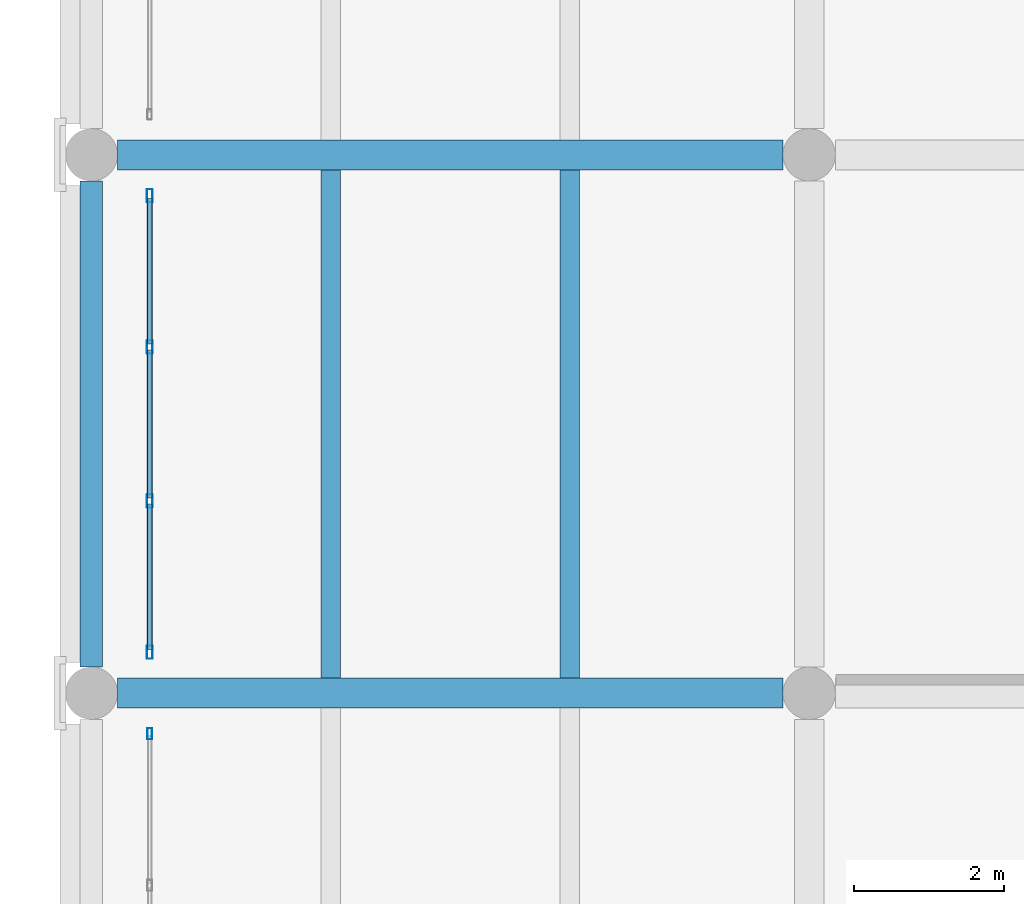
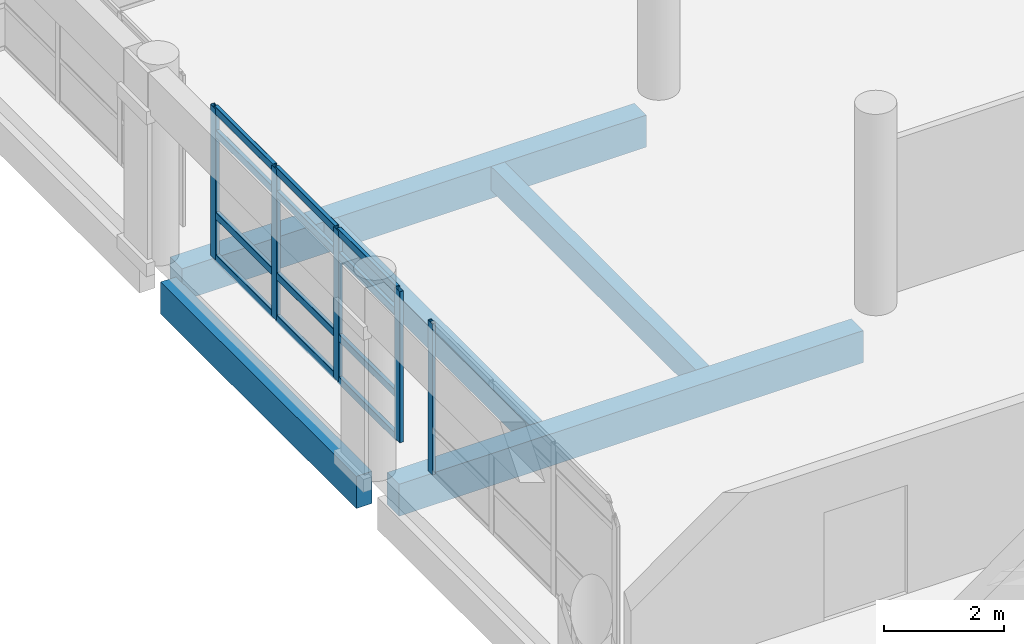
# One storey, part 39 of 180: 17 members, 5 beams, 2 elements without a shape of their own.
"""IFC4 building model written with IfcOpenShell, lengths in metres."""

from ifc_helpers import new_model, si_unit, direction, frame, origin, origin_2d, place, context, subcontext, project, spatial, rectangle, hollow_rectangle, extrude, material, layer, layer_set, material_profile, profile_set, type_object, element, aggregate, save


model = new_model("IFC4")

# Units and contexts
model_context = context("Model", 3, precision=1e-05, world=origin(), true_north=direction((0.0, 1.0)))
body_context = subcontext(model_context, "Body", "Model", "MODEL_VIEW")
ifc_project = project(units=[si_unit("LENGTHUNIT", "METRE"), si_unit("AREAUNIT", "SQUARE_METRE"), si_unit("VOLUMEUNIT", "CUBIC_METRE"), si_unit("PLANEANGLEUNIT", "RADIAN"), si_unit("MASSUNIT", "GRAM", prefix="KILO")], contexts=[model_context])

# Site, building, storey
site_placement = place(None, origin())
site = spatial("IfcSite", under=ifc_project, at=site_placement, CompositionType="ELEMENT")
building_placement = place(site_placement, origin())
building = spatial("IfcBuilding", under=site, at=building_placement, Name="Asteropetra Specialist Clinic", CompositionType="ELEMENT")
storey_placement = place(building_placement, frame((0.0, 0.0, 4.419921875)))
storey = spatial("IfcBuildingStorey", under=building, at=storey_placement, Name="L01", CompositionType="ELEMENT", Elevation=4.419921875)

# Beams
ifc_material_1 = material(Name="Concrete C35/45", Category="concrete")
ifc_material_profile_1 = material_profile(ifc_material_1, rectangle(XDim=0.39990234375, YDim=0.64990234375, at=origin_2d()), Name="RCB 400x650")
ifc_profile_set_1 = profile_set([ifc_material_profile_1], Name="Concrete C35/45")
beam_type_1 = type_object("IfcBeamType", Name="BM-RC400x650", PredefinedType="BEAM", material=ifc_profile_set_1)
for number, where, z_axis, x_axis, name in (
    (1, (0.35009765625, 48.0, -0.625), (1.0, 0.0, 0.0), (0.0, 1.0, 0.0), "Beam BBM07-0319"),
    (2, (0.35009765625, 55.199951171875, -0.625), (1.0, 0.0, 0.0), (0.0, 1.0, 0.0), "Beam BBM07-0324"),
):
    element("IfcBeam", number, at=place(storey_placement, frame(where, z_axis=z_axis, x_axis=x_axis)), inside=storey, type_object=beam_type_1, Name=name, PredefinedType="BEAM", context=body_context, shape_type="SweptSolid", body=[
        extrude(rectangle(XDim=0.39990234375, YDim=0.64990234375, at=origin_2d()), origin(), (0.0, 0.0, 1.0), 8.89990234375),
    ])

# Curtain wall, member
ifc_material_2 = material(Name="Aluminium and low-E glass", Category="aluminium")
ifc_layer = layer(ifc_material_2, 0.179931640625)
ifc_layer_set = layer_set([ifc_layer], Name="Aluminium and low-E glass")
curtain_wall_type = type_object("IfcCurtainWallType", Name="CW-SYS-10", PredefinedType="USERDEFINED", material=ifc_layer_set)
curtain_wall_1_placement = place(storey_placement, origin())
curtain_wall_1 = element("IfcCurtainWall", 3, at=curtain_wall_1_placement, inside=storey, type_object=curtain_wall_type, Name="Curtain Wall CW-160", ObjectType="STICK GLAZED COLONNADE", PredefinedType="USERDEFINED")
ifc_material_3 = material(Name="Aluminium 6063-T6", Category="aluminium")
ifc_material_profile_2 = material_profile(ifc_material_3, hollow_rectangle(XDim=0.06494140625, YDim=0.14990234375, WallThickness=0.00390625, InnerFilletRadius=0.00390625, OuterFilletRadius=0.008056640625, at=origin_2d()), Name="MUL 150x65x4.0")
ifc_profile_set_2 = profile_set([ifc_material_profile_2], Name="Aluminium 6063-T6")
member_type_1 = type_object("IfcMemberType", Name="CWM-150x65", PredefinedType="MULLION", material=ifc_profile_set_2)
member_1_placement = place(storey_placement, frame((0.780029296875, 47.45751953125, 0.0), z_axis=(0.0, 0.0, 1.0), x_axis=(1.0, 0.0, 0.0)))
member_1 = element("IfcMember", 4, at=member_1_placement, type_object=member_type_1, Name="CW-160 mullion 1", PredefinedType="MULLION", context=body_context, shape_type="SweptSolid", body=[
    extrude(hollow_rectangle(XDim=0.06494140625, YDim=0.14990234375, WallThickness=0.00390625, InnerFilletRadius=0.00390625, OuterFilletRadius=0.008056640625, at=origin_2d()), origin(), (0.0, 0.0, 1.0), 3.06005859375),
])
aggregate(curtain_wall_1, [member_1])

# Curtain wall, members
curtain_wall_2_placement = place(storey_placement, origin())
curtain_wall_2 = element("IfcCurtainWall", 5, at=curtain_wall_2_placement, inside=storey, type_object=curtain_wall_type, Name="Curtain Wall CW-162", ObjectType="STICK GLAZED COLONNADE", PredefinedType="USERDEFINED")
ifc_material_4 = material(Name="Aluminium 6063-T6", Category="aluminium")
ifc_material_profile_3 = material_profile(ifc_material_4, hollow_rectangle(XDim=0.074951171875, YDim=0.179931640625, WallThickness=0.00390625, InnerFilletRadius=0.00390625, OuterFilletRadius=0.008056640625, at=origin_2d()), Name="MUL 180x75x4.0")
ifc_profile_set_3 = profile_set([ifc_material_profile_3], Name="Aluminium 6063-T6")
member_type_2 = type_object("IfcMemberType", Name="CWM-180x75", PredefinedType="MULLION", material=ifc_profile_set_3)
member_2_placement = place(storey_placement, frame((0.780029296875, 54.652587890625, 0.0), z_axis=(0.0, 0.0, 1.0), x_axis=(1.0, 0.0, 0.0)))
member_2 = element("IfcMember", 6, at=member_2_placement, type_object=member_type_2, Name="CW-162 mullion 1", PredefinedType="MULLION", context=body_context, shape_type="SweptSolid", body=[
    extrude(hollow_rectangle(XDim=0.074951171875, YDim=0.179931640625, WallThickness=0.00390625, InnerFilletRadius=0.00390625, OuterFilletRadius=0.008056640625, at=origin_2d()), origin(), (0.0, 0.0, 1.0), 3.06005859375),
])
member_3_placement = place(storey_placement, frame((0.780029296875, 52.6298828125, 0.0), z_axis=(0.0, 0.0, 1.0), x_axis=(1.0, 0.0, 0.0)))
member_3 = element("IfcMember", 7, at=member_3_placement, type_object=member_type_2, Name="CW-162 mullion 2", PredefinedType="MULLION", context=body_context, shape_type="SweptSolid", body=[
    extrude(hollow_rectangle(XDim=0.074951171875, YDim=0.179931640625, WallThickness=0.00390625, InnerFilletRadius=0.00390625, OuterFilletRadius=0.008056640625, at=origin_2d()), origin(), (0.0, 0.0, 1.0), 3.06005859375),
])
member_4_placement = place(storey_placement, frame((0.780029296875, 50.570068359375, 0.0), z_axis=(0.0, 0.0, 1.0), x_axis=(1.0, 0.0, 0.0)))
member_4 = element("IfcMember", 8, at=member_4_placement, type_object=member_type_2, Name="CW-162 mullion 3", PredefinedType="MULLION", context=body_context, shape_type="SweptSolid", body=[
    extrude(hollow_rectangle(XDim=0.074951171875, YDim=0.179931640625, WallThickness=0.00390625, InnerFilletRadius=0.00390625, OuterFilletRadius=0.008056640625, at=origin_2d()), origin(), (0.0, 0.0, 1.0), 3.06005859375),
])
member_5_placement = place(storey_placement, frame((0.780029296875, 48.547607421875, 0.0), z_axis=(0.0, 0.0, 1.0), x_axis=(1.0, 0.0, 0.0)))
member_5 = element("IfcMember", 9, at=member_5_placement, type_object=member_type_2, Name="CW-162 mullion 4", PredefinedType="MULLION", context=body_context, shape_type="SweptSolid", body=[
    extrude(hollow_rectangle(XDim=0.074951171875, YDim=0.179931640625, WallThickness=0.00390625, InnerFilletRadius=0.00390625, OuterFilletRadius=0.008056640625, at=origin_2d()), origin(), (0.0, 0.0, 1.0), 3.06005859375),
])
ifc_material_5 = material(Name="Aluminium 6063-T6", Category="aluminium")
ifc_material_profile_4 = material_profile(ifc_material_5, hollow_rectangle(XDim=0.074951171875, YDim=0.14990234375, WallThickness=0.00390625, InnerFilletRadius=0.00390625, OuterFilletRadius=0.008056640625, at=origin_2d()), Name="TRN 150x75x4.0")
ifc_profile_set_4 = profile_set([ifc_material_profile_4], Name="Aluminium 6063-T6")
member_type_3 = type_object("IfcMemberType", Name="CWT-150x75", PredefinedType="USERDEFINED", material=ifc_profile_set_4)
member_6_placement = place(storey_placement, frame((0.780029296875, 54.614990234375, 0.03759765625), z_axis=(0.0, -1.0, 0.0), x_axis=(1.0, 0.0, 0.0)))
member_6 = element("IfcMember", 10, at=member_6_placement, type_object=member_type_3, Name="CW-162 transom 1.1", ObjectType="TRANSOM", PredefinedType="USERDEFINED", context=body_context, shape_type="SweptSolid", body=[
    extrude(hollow_rectangle(XDim=0.074951171875, YDim=0.14990234375, WallThickness=0.00390625, InnerFilletRadius=0.00390625, OuterFilletRadius=0.008056640625, at=origin_2d()), origin(), (0.0, 0.0, 1.0), 1.947509765625),
])
member_7_placement = place(storey_placement, frame((0.780029296875, 54.614990234375, 0.900146484375), z_axis=(0.0, -1.0, 0.0), x_axis=(1.0, 0.0, 0.0)))
member_7 = element("IfcMember", 11, at=member_7_placement, type_object=member_type_3, Name="CW-162 transom 1.2", ObjectType="TRANSOM", PredefinedType="USERDEFINED", context=body_context, shape_type="SweptSolid", body=[
    extrude(hollow_rectangle(XDim=0.074951171875, YDim=0.14990234375, WallThickness=0.00390625, InnerFilletRadius=0.00390625, OuterFilletRadius=0.008056640625, at=origin_2d()), origin(), (0.0, 0.0, 1.0), 1.947509765625),
])
member_8_placement = place(storey_placement, frame((0.780029296875, 54.614990234375, 2.56005859375), z_axis=(0.0, -1.0, 0.0), x_axis=(1.0, 0.0, 0.0)))
member_8 = element("IfcMember", 12, at=member_8_placement, type_object=member_type_3, Name="CW-162 transom 1.3", ObjectType="TRANSOM", PredefinedType="USERDEFINED", context=body_context, shape_type="SweptSolid", body=[
    extrude(hollow_rectangle(XDim=0.074951171875, YDim=0.14990234375, WallThickness=0.00390625, InnerFilletRadius=0.00390625, OuterFilletRadius=0.008056640625, at=origin_2d()), origin(), (0.0, 0.0, 1.0), 1.947509765625),
])
member_9_placement = place(storey_placement, frame((0.780029296875, 54.614990234375, 3.0224609375), z_axis=(0.0, -1.0, 0.0), x_axis=(1.0, 0.0, 0.0)))
member_9 = element("IfcMember", 13, at=member_9_placement, type_object=member_type_3, Name="CW-162 transom 1.4", ObjectType="TRANSOM", PredefinedType="USERDEFINED", context=body_context, shape_type="SweptSolid", body=[
    extrude(hollow_rectangle(XDim=0.074951171875, YDim=0.14990234375, WallThickness=0.00390625, InnerFilletRadius=0.00390625, OuterFilletRadius=0.008056640625, at=origin_2d()), origin(), (0.0, 0.0, 1.0), 1.947509765625),
])
member_10_placement = place(storey_placement, frame((0.780029296875, 52.592529296875, 0.03759765625), z_axis=(0.0, -1.0, 0.0), x_axis=(1.0, 0.0, 0.0)))
member_10 = element("IfcMember", 14, at=member_10_placement, type_object=member_type_3, Name="CW-162 transom 2.1", ObjectType="TRANSOM", PredefinedType="USERDEFINED", context=body_context, shape_type="SweptSolid", body=[
    extrude(hollow_rectangle(XDim=0.074951171875, YDim=0.14990234375, WallThickness=0.00390625, InnerFilletRadius=0.00390625, OuterFilletRadius=0.008056640625, at=origin_2d()), origin(), (0.0, 0.0, 1.0), 1.985107421875),
])
member_11_placement = place(storey_placement, frame((0.780029296875, 52.592529296875, 0.900146484375), z_axis=(0.0, -1.0, 0.0), x_axis=(1.0, 0.0, 0.0)))
member_11 = element("IfcMember", 15, at=member_11_placement, type_object=member_type_3, Name="CW-162 transom 2.2", ObjectType="TRANSOM", PredefinedType="USERDEFINED", context=body_context, shape_type="SweptSolid", body=[
    extrude(hollow_rectangle(XDim=0.074951171875, YDim=0.14990234375, WallThickness=0.00390625, InnerFilletRadius=0.00390625, OuterFilletRadius=0.008056640625, at=origin_2d()), origin(), (0.0, 0.0, 1.0), 1.985107421875),
])
member_12_placement = place(storey_placement, frame((0.780029296875, 52.592529296875, 2.56005859375), z_axis=(0.0, -1.0, 0.0), x_axis=(1.0, 0.0, 0.0)))
member_12 = element("IfcMember", 16, at=member_12_placement, type_object=member_type_3, Name="CW-162 transom 2.3", ObjectType="TRANSOM", PredefinedType="USERDEFINED", context=body_context, shape_type="SweptSolid", body=[
    extrude(hollow_rectangle(XDim=0.074951171875, YDim=0.14990234375, WallThickness=0.00390625, InnerFilletRadius=0.00390625, OuterFilletRadius=0.008056640625, at=origin_2d()), origin(), (0.0, 0.0, 1.0), 1.985107421875),
])
member_13_placement = place(storey_placement, frame((0.780029296875, 52.592529296875, 3.0224609375), z_axis=(0.0, -1.0, 0.0), x_axis=(1.0, 0.0, 0.0)))
member_13 = element("IfcMember", 17, at=member_13_placement, type_object=member_type_3, Name="CW-162 transom 2.4", ObjectType="TRANSOM", PredefinedType="USERDEFINED", context=body_context, shape_type="SweptSolid", body=[
    extrude(hollow_rectangle(XDim=0.074951171875, YDim=0.14990234375, WallThickness=0.00390625, InnerFilletRadius=0.00390625, OuterFilletRadius=0.008056640625, at=origin_2d()), origin(), (0.0, 0.0, 1.0), 1.985107421875),
])
member_14_placement = place(storey_placement, frame((0.780029296875, 50.532470703125, 0.03759765625), z_axis=(0.0, -1.0, 0.0), x_axis=(1.0, 0.0, 0.0)))
member_14 = element("IfcMember", 18, at=member_14_placement, type_object=member_type_3, Name="CW-162 transom 3.1", ObjectType="TRANSOM", PredefinedType="USERDEFINED", context=body_context, shape_type="SweptSolid", body=[
    extrude(hollow_rectangle(XDim=0.074951171875, YDim=0.14990234375, WallThickness=0.00390625, InnerFilletRadius=0.00390625, OuterFilletRadius=0.008056640625, at=origin_2d()), origin(), (0.0, 0.0, 1.0), 1.947509765625),
])
member_15_placement = place(storey_placement, frame((0.780029296875, 50.532470703125, 0.900146484375), z_axis=(0.0, -1.0, 0.0), x_axis=(1.0, 0.0, 0.0)))
member_15 = element("IfcMember", 19, at=member_15_placement, type_object=member_type_3, Name="CW-162 transom 3.2", ObjectType="TRANSOM", PredefinedType="USERDEFINED", context=body_context, shape_type="SweptSolid", body=[
    extrude(hollow_rectangle(XDim=0.074951171875, YDim=0.14990234375, WallThickness=0.00390625, InnerFilletRadius=0.00390625, OuterFilletRadius=0.008056640625, at=origin_2d()), origin(), (0.0, 0.0, 1.0), 1.947509765625),
])
member_16_placement = place(storey_placement, frame((0.780029296875, 50.532470703125, 2.56005859375), z_axis=(0.0, -1.0, 0.0), x_axis=(1.0, 0.0, 0.0)))
member_16 = element("IfcMember", 20, at=member_16_placement, type_object=member_type_3, Name="CW-162 transom 3.3", ObjectType="TRANSOM", PredefinedType="USERDEFINED", context=body_context, shape_type="SweptSolid", body=[
    extrude(hollow_rectangle(XDim=0.074951171875, YDim=0.14990234375, WallThickness=0.00390625, InnerFilletRadius=0.00390625, OuterFilletRadius=0.008056640625, at=origin_2d()), origin(), (0.0, 0.0, 1.0), 1.947509765625),
])
member_17_placement = place(storey_placement, frame((0.780029296875, 50.532470703125, 3.0224609375), z_axis=(0.0, -1.0, 0.0), x_axis=(1.0, 0.0, 0.0)))
member_17 = element("IfcMember", 21, at=member_17_placement, type_object=member_type_3, Name="CW-162 transom 3.4", ObjectType="TRANSOM", PredefinedType="USERDEFINED", context=body_context, shape_type="SweptSolid", body=[
    extrude(hollow_rectangle(XDim=0.074951171875, YDim=0.14990234375, WallThickness=0.00390625, InnerFilletRadius=0.00390625, OuterFilletRadius=0.008056640625, at=origin_2d()), origin(), (0.0, 0.0, 1.0), 1.947509765625),
])
aggregate(curtain_wall_2, [member_2, member_3, member_4, member_5, member_6, member_7, member_8, member_9, member_10, member_11, member_12, member_13, member_14, member_15, member_16, member_17])

# Beams
ifc_material_6 = material(Name="Concrete C35/45", Category="concrete")
ifc_material_profile_5 = material_profile(ifc_material_6, rectangle(XDim=0.260009765625, YDim=0.47998046875, at=origin_2d()), Name="RCJ 260x480")
ifc_profile_set_5 = profile_set([ifc_material_profile_5], Name="Concrete C35/45")
beam_type_2 = type_object("IfcBeamType", Name="JST-RC260x480", PredefinedType="JOIST", material=ifc_profile_set_5)
for number, where, z_axis, x_axis, name in (
    (22, (3.199951171875, 48.199951171875, -0.5400390625), (0.0, 1.0, 0.0), (-1.0, 0.0, 0.0), "Joist JJST02-0370"),
    (23, (6.39990234375, 48.199951171875, -0.5400390625), (0.0, 1.0, 0.0), (-1.0, 0.0, 0.0), "Joist JJST02-0371"),
):
    element("IfcBeam", number, at=place(storey_placement, frame(where, z_axis=z_axis, x_axis=x_axis)), inside=storey, type_object=beam_type_2, Name=name, PredefinedType="JOIST", context=body_context, shape_type="SweptSolid", body=[
        extrude(rectangle(XDim=0.260009765625, YDim=0.47998046875, at=origin_2d()), origin(), (0.0, 0.0, 1.0), 6.800048828125),
    ])
ifc_material_7 = material(Name="Concrete C35/45", Category="concrete")
ifc_material_profile_6 = material_profile(ifc_material_7, rectangle(XDim=0.300048828125, YDim=0.64990234375, at=origin_2d()), Name="RCS 300x650")
ifc_profile_set_6 = profile_set([ifc_material_profile_6], Name="Concrete C35/45")
beam_type_3 = type_object("IfcBeamType", Name="SPN-RC300x650", PredefinedType="SPANDREL", material=ifc_profile_set_6)
beam_placement = place(storey_placement, frame((0.0, 48.35009765625, -0.625), z_axis=(0.0, 1.0, 0.0), x_axis=(-1.0, 0.0, 0.0)))
element("IfcBeam", 24, at=beam_placement, inside=storey, type_object=beam_type_3, Name="Beam BSPN03-0364", PredefinedType="SPANDREL", context=body_context, shape_type="SweptSolid", body=[
    extrude(rectangle(XDim=0.300048828125, YDim=0.64990234375, at=origin_2d()), origin(), (0.0, 0.0, 1.0), 6.5),
])

save(model, "model.ifc")
